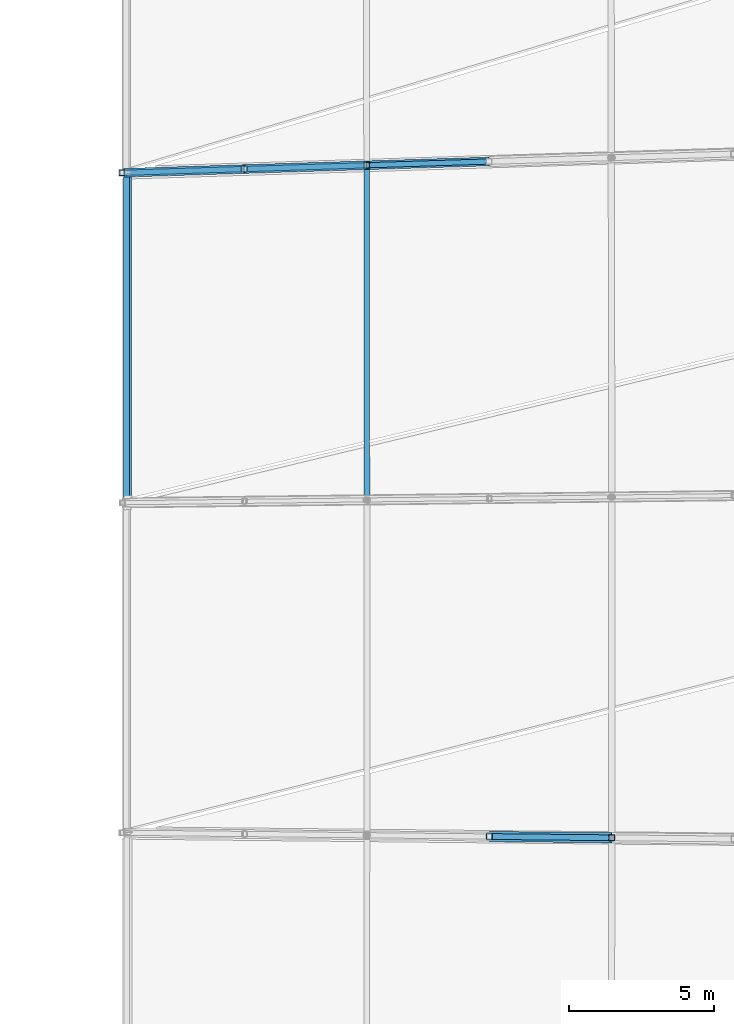
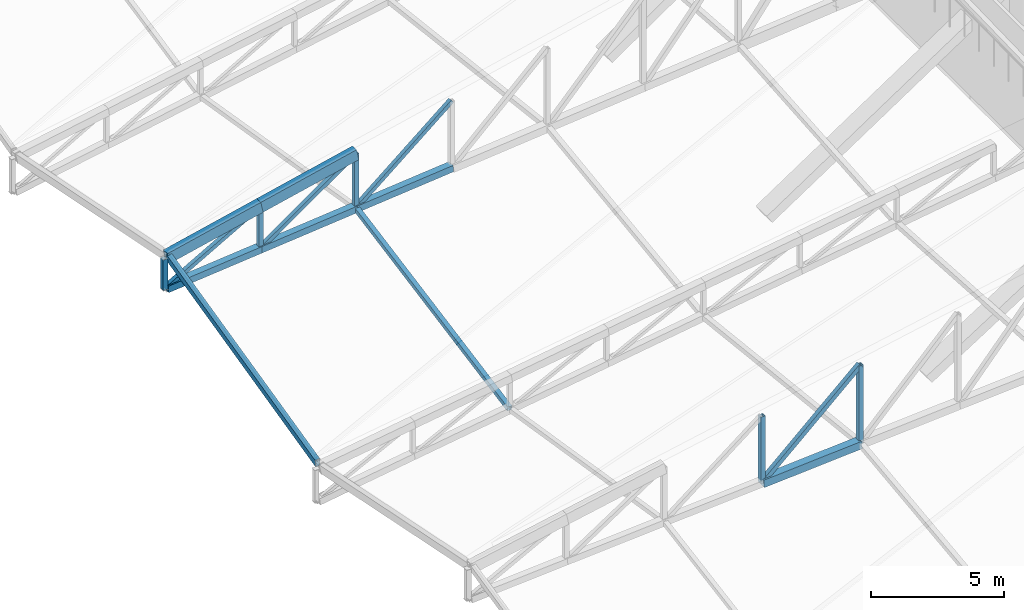
# One storey, part 107 of 344: 16 members, 1 beam.
"""IFC4 building model written with IfcOpenShell, lengths in metres."""

from ifc_helpers import new_model, si_unit, direction, frame, origin, origin_2d, place, context, subcontext, project, spatial, hollow_rectangle, extrude, material, material_profile, profile_set, type_object, element, save


model = new_model("IFC4")

# Units and contexts
model_context = context("Model", 3, precision=1e-05, world=origin(), true_north=direction((0.0, 1.0)))
body_context = subcontext(model_context, "Body", "Model", "MODEL_VIEW")
ifc_project = project(units=[si_unit("LENGTHUNIT", "METRE"), si_unit("AREAUNIT", "SQUARE_METRE"), si_unit("VOLUMEUNIT", "CUBIC_METRE"), si_unit("PLANEANGLEUNIT", "RADIAN"), si_unit("MASSUNIT", "GRAM", prefix="KILO")], contexts=[model_context])

# Site, building, storey
site_placement = place(None, origin())
site = spatial("IfcSite", under=ifc_project, at=site_placement, CompositionType="ELEMENT")
building_placement = place(site_placement, origin())
building = spatial("IfcBuilding", under=site, at=building_placement, Name="Meseta Stadium", CompositionType="ELEMENT")
storey_placement = place(building_placement, frame((0.0, 0.0, 24.0)))
storey = spatial("IfcBuildingStorey", under=building, at=storey_placement, Name="L04", CompositionType="ELEMENT", Elevation=24.0)

# Beam
ifc_material_1 = material(Name="Steel S355", Category="steel")
ifc_material_profile_1 = material_profile(ifc_material_1, hollow_rectangle(XDim=0.199951171875, YDim=0.39990234375, WallThickness=0.01611328125, at=origin_2d()), Name="RHS 400x200x16")
ifc_profile_set_1 = profile_set([ifc_material_profile_1], Name="Steel S355")
beam_type = type_object("IfcBeamType", Name="RHS 400x200x16 tip ring beam", PredefinedType="BEAM", material=ifc_profile_set_1)
beam_placement = place(storey_placement, frame((47.19091796875, 5.887939453125, 2.8515625), z_axis=(-0.00025514616, 0.972595899446, 0.23250193823), x_axis=(-0.982554619428, 0.042995509587, -0.180935916824)))
element("IfcBeam", 1, at=beam_placement, inside=storey, type_object=beam_type, Name="TIP RING BEAM 06", PredefinedType="BEAM", context=body_context, shape_type="SweptSolid", body=[
    extrude(hollow_rectangle(XDim=0.199951171875, YDim=0.39990234375, WallThickness=0.01611328125, at=origin_2d()), origin(), (0.0, 0.0, 1.0), 11.482421875),
])

# Members
ifc_material_2 = material(Name="Steel S355", Category="steel")
ifc_material_profile_2 = material_profile(ifc_material_2, hollow_rectangle(XDim=0.300048828125, YDim=0.5, WallThickness=0.01611328125, at=origin_2d()), Name="RHS 500x300x16")
ifc_profile_set_2 = profile_set([ifc_material_profile_2], Name="Steel S355")
member_type_1 = type_object("IfcMemberType", Name="RHS 500x300x16 top chord", PredefinedType="CHORD", material=ifc_profile_set_2)
member_1_placement = place(storey_placement, frame((47.0947265625, 17.0751953125, 5.5322265625), z_axis=(0.97975126081, 0.030230998335, 0.197923100422), x_axis=(-0.030841111057, 0.999524299789, 0.0)))
element("IfcMember", 2, at=member_1_placement, inside=storey, type_object=member_type_1, Name="ROOF TRUSS RT-06 top chord", PredefinedType="CHORD", context=body_context, shape_type="SweptSolid", body=[
    extrude(hollow_rectangle(XDim=0.300048828125, YDim=0.5, WallThickness=0.01611328125, at=origin_2d()), origin(), (0.0, 0.0, 1.0), 4.20751953125),
])
member_2_placement = place(storey_placement, frame((51.217041015625, 17.202392578125, 6.364990234375), z_axis=(0.979762958597, 0.030210208084, 0.197868361012), x_axis=(-0.030819553754, 0.999524964724, 0.0)))
element("IfcMember", 3, at=member_2_placement, inside=storey, type_object=member_type_1, Name="ROOF TRUSS RT-06 top chord", PredefinedType="CHORD", context=body_context, shape_type="SweptSolid", body=[
    extrude(hollow_rectangle(XDim=0.300048828125, YDim=0.5, WallThickness=0.01611328125, at=origin_2d()), origin(), (0.0, 0.0, 1.0), 4.307373046875),
])
ifc_material_3 = material(Name="Steel S355", Category="steel")
ifc_material_profile_3 = material_profile(ifc_material_3, hollow_rectangle(XDim=0.179931640625, YDim=0.179931640625, WallThickness=0.00634765625, at=origin_2d()), Name="SHS 180x180x6.3")
ifc_profile_set_3 = profile_set([ifc_material_profile_3], Name="Steel S355")
member_type_2 = type_object("IfcMemberType", Name="SHS 180x180x6.3 diagonal", PredefinedType="BRACE", material=ifc_profile_set_3)
member_3_placement = place(storey_placement, frame((46.996826171875, 17.072265625, 4.112548828125), z_axis=(0.881882579554, 0.027192144794, 0.470684292431), x_axis=(-0.030819553754, 0.999524964724, 0.0)))
element("IfcMember", 4, at=member_3_placement, inside=storey, type_object=member_type_2, Name="ROOF TRUSS RT-06 diagonal", PredefinedType="BRACE", context=body_context, shape_type="SweptSolid", body=[
    extrude(hollow_rectangle(XDim=0.179931640625, YDim=0.179931640625, WallThickness=0.00634765625, at=origin_2d()), origin(), (0.0, 0.0, 1.0), 4.785400390625),
])
member_4_placement = place(storey_placement, frame((51.217041015625, 17.202392578125, 4.416748046875), z_axis=(0.832952660752, 0.025683429838, 0.552747886815), x_axis=(-0.030819553754, 0.999524964724, 0.0)))
element("IfcMember", 5, at=member_4_placement, inside=storey, type_object=member_type_2, Name="ROOF TRUSS RT-06 diagonal", PredefinedType="BRACE", context=body_context, shape_type="SweptSolid", body=[
    extrude(hollow_rectangle(XDim=0.179931640625, YDim=0.179931640625, WallThickness=0.00634765625, at=origin_2d()), origin(), (0.0, 0.0, 1.0), 5.066650390625),
])
member_5_placement = place(storey_placement, frame((55.437255859375, 17.33251953125, 4.720947265625), z_axis=(0.783105689029, 0.024146438288, 0.621419688558), x_axis=(-0.030819553754, 0.999524964724, 0.0)))
element("IfcMember", 6, at=member_5_placement, inside=storey, type_object=member_type_2, Name="ROOF TRUSS RT-06 diagonal", PredefinedType="BRACE", context=body_context, shape_type="SweptSolid", body=[
    extrude(hollow_rectangle(XDim=0.179931640625, YDim=0.179931640625, WallThickness=0.00634765625, at=origin_2d()), origin(), (0.0, 0.0, 1.0), 5.38916015625),
])
ifc_material_4 = material(Name="Steel S355", Category="steel")
ifc_material_profile_4 = material_profile(ifc_material_4, hollow_rectangle(XDim=0.199951171875, YDim=0.199951171875, WallThickness=0.008056640625, at=origin_2d()), Name="SHS 200x200x8")
ifc_profile_set_4 = profile_set([ifc_material_profile_4], Name="Steel S355")
member_type_3 = type_object("IfcMemberType", Name="SHS 200x200x8 diagonal", PredefinedType="BRACE", material=ifc_profile_set_4)
member_6_placement = place(storey_placement, frame((59.66552734375, -5.821044921875, 4.71337890625), z_axis=(0.732048613377, -0.007534674059, 0.681210728292), x_axis=(0.010292041883, 0.999947035534, 0.0)))
element("IfcMember", 7, at=member_6_placement, inside=storey, type_object=member_type_3, Name="ROOF TRUSS RT-04 diagonal", PredefinedType="BRACE", context=body_context, shape_type="SweptSolid", body=[
    extrude(hollow_rectangle(XDim=0.199951171875, YDim=0.199951171875, WallThickness=0.008056640625, at=origin_2d()), origin(), (0.0, 0.0, 1.0), 5.767578125),
])
ifc_material_5 = material(Name="Steel S355", Category="steel")
ifc_material_profile_5 = material_profile(ifc_material_5, hollow_rectangle(XDim=0.199951171875, YDim=0.199951171875, WallThickness=0.008056640625, at=origin_2d()), Name="SHS 200x200x8")
ifc_profile_set_5 = profile_set([ifc_material_profile_5], Name="Steel S355")
member_type_4 = type_object("IfcMemberType", Name="SHS 200x200x8 post", PredefinedType="POST", material=ifc_profile_set_5)
member_7_placement = place(storey_placement, frame((59.66552734375, -5.821044921875, 4.71337890625), z_axis=(0.0, 0.0, 1.0), x_axis=(1.0, 0.0, 0.0)))
element("IfcMember", 8, at=member_7_placement, inside=storey, type_object=member_type_4, Name="ROOF TRUSS RT-04 post", PredefinedType="POST", context=body_context, shape_type="SweptSolid", body=[
    extrude(hollow_rectangle(XDim=0.199951171875, YDim=0.199951171875, WallThickness=0.008056640625, at=origin_2d()), origin(), (0.0, 0.0, 1.0), 3.04443359375),
])
member_8_placement = place(storey_placement, frame((63.8876953125, -5.864501953125, 5.0498046875), z_axis=(0.0, 0.0, 1.0), x_axis=(1.0, 0.0, 0.0)))
element("IfcMember", 9, at=member_8_placement, inside=storey, type_object=member_type_4, Name="ROOF TRUSS RT-04 post", PredefinedType="POST", context=body_context, shape_type="SweptSolid", body=[
    extrude(hollow_rectangle(XDim=0.199951171875, YDim=0.199951171875, WallThickness=0.008056640625, at=origin_2d()), origin(), (0.0, 0.0, 1.0), 3.592529296875),
])
member_9_placement = place(storey_placement, frame((51.217041015625, 17.202392578125, 4.416748046875), z_axis=(0.0, 0.0, 1.0), x_axis=(1.0, 0.0, 0.0)))
element("IfcMember", 10, at=member_9_placement, inside=storey, type_object=member_type_4, Name="ROOF TRUSS RT-06 post", PredefinedType="POST", context=body_context, shape_type="SweptSolid", body=[
    extrude(hollow_rectangle(XDim=0.199951171875, YDim=0.199951171875, WallThickness=0.008056640625, at=origin_2d()), origin(), (0.0, 0.0, 1.0), 1.9482421875),
])
member_10_placement = place(storey_placement, frame((55.437255859375, 17.33251953125, 4.720947265625), z_axis=(0.0, 0.0, 1.0), x_axis=(1.0, 0.0, 0.0)))
element("IfcMember", 11, at=member_10_placement, inside=storey, type_object=member_type_4, Name="ROOF TRUSS RT-06 post", PredefinedType="POST", context=body_context, shape_type="SweptSolid", body=[
    extrude(hollow_rectangle(XDim=0.199951171875, YDim=0.199951171875, WallThickness=0.008056640625, at=origin_2d()), origin(), (0.0, 0.0, 1.0), 2.496337890625),
])
ifc_material_6 = material(Name="Steel S355", Category="steel")
ifc_material_profile_6 = material_profile(ifc_material_6, hollow_rectangle(XDim=0.199951171875, YDim=0.199951171875, WallThickness=0.008056640625, at=origin_2d()), Name="SHS 200x200x8")
ifc_profile_set_6 = profile_set([ifc_material_profile_6], Name="Steel S355")
member_type_5 = type_object("IfcMemberType", Name="SHS 200x200x8 rim post", PredefinedType="POST", material=ifc_profile_set_6)
member_11_placement = place(storey_placement, frame((46.996826171875, 17.072265625, 4.112548828125), z_axis=(0.0, 0.0, 1.0), x_axis=(1.0, 0.0, 0.0)))
element("IfcMember", 12, at=member_11_placement, inside=storey, type_object=member_type_5, Name="ROOF TRUSS RT-06 post", PredefinedType="POST", context=body_context, shape_type="SweptSolid", body=[
    extrude(hollow_rectangle(XDim=0.199951171875, YDim=0.199951171875, WallThickness=0.008056640625, at=origin_2d()), origin(), (0.0, 0.0, 1.0), 1.39990234375),
])
ifc_material_7 = material(Name="Steel S355", Category="steel")
ifc_material_profile_7 = material_profile(ifc_material_7, hollow_rectangle(XDim=0.199951171875, YDim=0.199951171875, WallThickness=0.008056640625, at=origin_2d()), Name="SHS 200x200x8")
ifc_profile_set_7 = profile_set([ifc_material_profile_7], Name="Steel S355")
member_type_6 = type_object("IfcMemberType", Name="SHS 200x200x8 strut", PredefinedType="STRUT", material=ifc_profile_set_7)
member_12_placement = place(storey_placement, frame((55.443603515625, 5.7900390625, 2.510009765625), z_axis=(-0.000540119194, 0.982144433371, 0.188127670134), x_axis=(-0.999999848784, -0.000549938578, 0.0)))
element("IfcMember", 13, at=member_12_placement, inside=storey, type_object=member_type_6, Name="ROOF TRUSS STRUT RT-05/06", PredefinedType="STRUT", context=body_context, shape_type="SweptSolid", body=[
    extrude(hollow_rectangle(XDim=0.199951171875, YDim=0.199951171875, WallThickness=0.008056640625, at=origin_2d()), origin(), (0.0, 0.0, 1.0), 11.75244140625),
])
ifc_material_8 = material(Name="Steel S355", Category="steel")
ifc_material_profile_8 = material_profile(ifc_material_8, hollow_rectangle(XDim=0.300048828125, YDim=0.300048828125, WallThickness=0.010009765625, at=origin_2d()), Name="SHS 300x300x10")
ifc_profile_set_8 = profile_set([ifc_material_profile_8], Name="Steel S355")
member_type_7 = type_object("IfcMemberType", Name="SHS 300x300x10 bottom chord", PredefinedType="CHORD", material=ifc_profile_set_8)
member_13_placement = place(storey_placement, frame((47.096435546875, 17.075439453125, 4.11962890625), z_axis=(0.996939880421, 0.030715057342, 0.071885047664), x_axis=(-0.030794725654, 0.99952572997, 0.0)))
element("IfcMember", 14, at=member_13_placement, inside=storey, type_object=member_type_7, Name="ROOF TRUSS RT-06 bottom chord", PredefinedType="CHORD", context=body_context, shape_type="SweptSolid", body=[
    extrude(hollow_rectangle(XDim=0.300048828125, YDim=0.300048828125, WallThickness=0.010009765625, at=origin_2d()), origin(), (0.0, 0.0, 1.0), 4.13330078125),
])
for number, where, z_axis, x_axis, name in (
    (15, (51.217041015625, 17.202392578125, 4.416748046875), (0.996940853121, 0.030739874738, 0.071860945446), (-0.030819553754, 0.999524964724, 0.0), "ROOF TRUSS RT-06 bottom chord"),
    (16, (55.437255859375, 17.33251953125, 4.720947265625), (0.996936719708, 0.030739747287, 0.071918320576), (-0.030819553754, 0.999524964724, 0.0), "ROOF TRUSS RT-06 bottom chord"),
):
    element("IfcMember", number, at=place(storey_placement, frame(where, z_axis=z_axis, x_axis=x_axis)), inside=storey, type_object=member_type_7, Name=name, PredefinedType="CHORD", context=body_context, shape_type="SweptSolid", body=[
        extrude(hollow_rectangle(XDim=0.300048828125, YDim=0.300048828125, WallThickness=0.010009765625, at=origin_2d()), origin(), (0.0, 0.0, 1.0), 4.233154296875),
    ])
ifc_material_9 = material(Name="Steel S355", Category="steel")
ifc_material_profile_9 = material_profile(ifc_material_9, hollow_rectangle(XDim=0.35009765625, YDim=0.35009765625, WallThickness=0.01416015625, at=origin_2d()), Name="SHS 350x350x14.2")
ifc_profile_set_9 = profile_set([ifc_material_profile_9], Name="Steel S355")
member_type_8 = type_object("IfcMemberType", Name="SHS 350x350x14.2 bottom chord", PredefinedType="CHORD", material=ifc_profile_set_9)
member_14_placement = place(storey_placement, frame((59.66552734375, -5.821044921875, 4.71337890625), z_axis=(0.996788056664, -0.010259527818, 0.079424883895), x_axis=(0.010292041883, 0.999947035534, 0.0)))
element("IfcMember", 17, at=member_14_placement, inside=storey, type_object=member_type_8, Name="ROOF TRUSS RT-04 bottom chord", PredefinedType="CHORD", context=body_context, shape_type="SweptSolid", body=[
    extrude(hollow_rectangle(XDim=0.35009765625, YDim=0.35009765625, WallThickness=0.01416015625, at=origin_2d()), origin(), (0.0, 0.0, 1.0), 4.23583984375),
])

save(model, "model.ifc")
